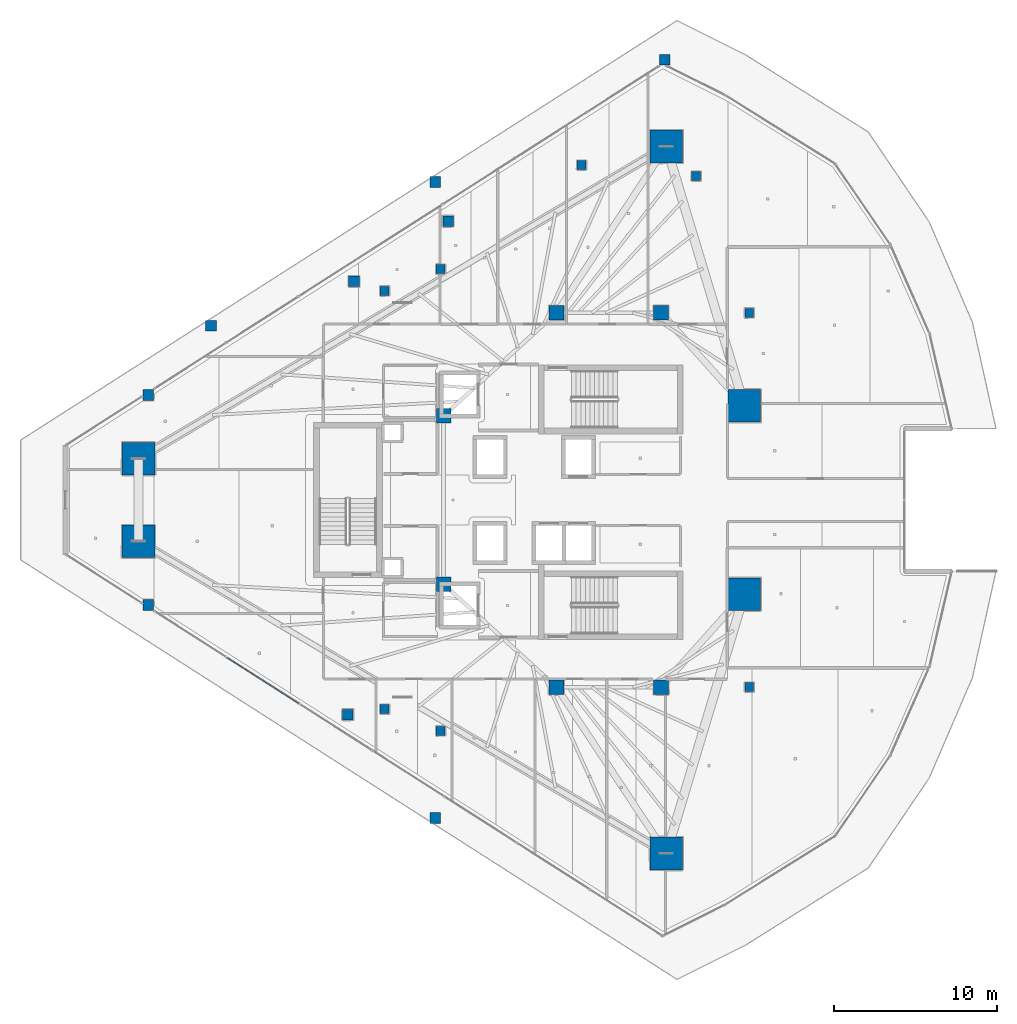
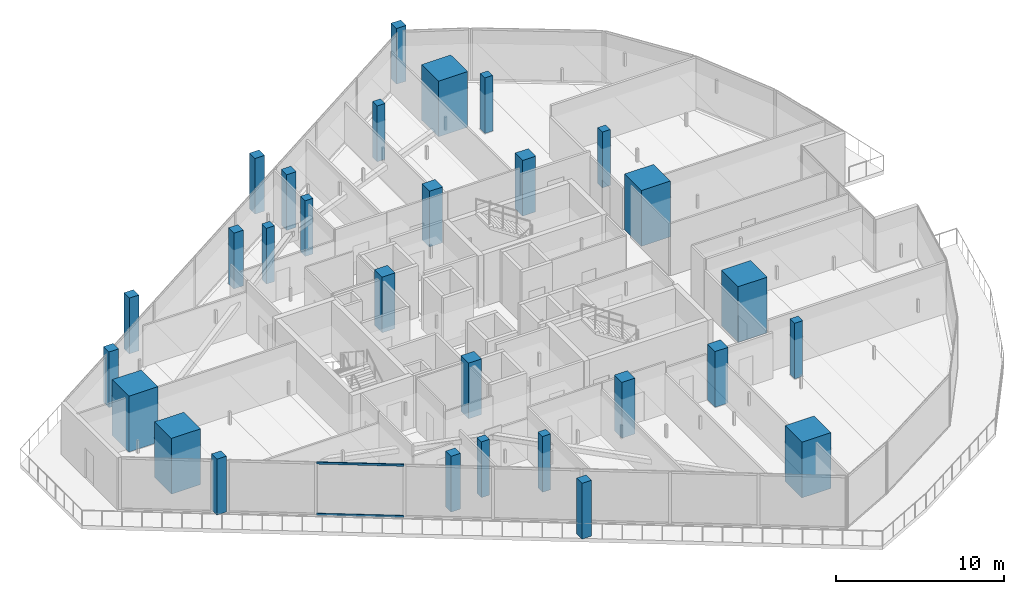
# One storey, part 1 of 43: 29 columns, 2 members, 1 element without a shape of its own.
"""IFC4 building model written with IfcOpenShell, lengths in metres."""

from ifc_helpers import new_model, si_unit, direction, frame, origin, origin_2d, place, context, subcontext, project, spatial, rectangle, hollow_rectangle, extrude, material, layer, layer_set, material_profile, profile_set, type_object, element, aggregate, save


model = new_model("IFC4")

# Units and contexts
model_context = context("Model", 3, precision=1e-05, world=origin(), true_north=direction((0.0, 1.0)))
body_context = subcontext(model_context, "Body", "Model", "MODEL_VIEW")
ifc_project = project(units=[si_unit("LENGTHUNIT", "METRE"), si_unit("AREAUNIT", "SQUARE_METRE"), si_unit("VOLUMEUNIT", "CUBIC_METRE"), si_unit("PLANEANGLEUNIT", "RADIAN"), si_unit("MASSUNIT", "GRAM", prefix="KILO")], contexts=[model_context])

# Site, building, storey
site_placement = place(None, origin())
site = spatial("IfcSite", under=ifc_project, at=site_placement, CompositionType="ELEMENT")
building_placement = place(site_placement, origin())
building = spatial("IfcBuilding", under=site, at=building_placement, Name="Qorvath Tower", CompositionType="ELEMENT")
storey_placement = place(building_placement, frame((0.0, 0.0, 213.14990234375)))
storey = spatial("IfcBuildingStorey", under=building, at=storey_placement, Name="L49", CompositionType="ELEMENT", Elevation=213.14990234375)

# Columns
ifc_material_1 = material(Name="Concrete C60/75", Category="concrete")
ifc_material_profile_1 = material_profile(ifc_material_1, rectangle(XDim=2.0, YDim=2.0, at=origin_2d()), Name="MC 2000x2000")
ifc_profile_set_1 = profile_set([ifc_material_profile_1], Name="Concrete C60/75")
column_type_1 = type_object("IfcColumnType", Name="COL-MC3", PredefinedType="COLUMN", material=ifc_profile_set_1)
for number, where, z_axis, x_axis, name in (
    (1, (-49.171875, 2.52783203125, 0.0), (0.0, 0.0, 1.0), (1.0, 0.0, 0.0), "Composite Mega-Column MC1 L49"),
    (2, (-49.171875, -2.52783203125, 0.0), (0.0, 0.0, 1.0), (1.0, 0.0, 0.0), "Composite Mega-Column MC2 L49"),
    (3, (-16.87158203125, -21.627197265625, 0.0), (0.0, 0.0, 1.0), (1.0, 0.0, 0.0), "Composite Mega-Column MC3 L49"),
    (4, (-12.0966796875, -5.7578125, 0.0), (0.0, 0.0, 1.0), (1.0, 0.0, 0.0), "Composite Mega-Column MC4 L49"),
    (5, (-12.0966796875, 5.7578125, 0.0), (0.0, 0.0, 1.0), (1.0, 0.0, 0.0), "Composite Mega-Column MC5 L49"),
    (6, (-16.87158203125, 21.627197265625, 0.0), (0.0, 0.0, 1.0), (1.0, 0.0, 0.0), "Composite Mega-Column MC6 L49"),
):
    element("IfcColumn", number, at=place(storey_placement, frame(where, z_axis=z_axis, x_axis=x_axis)), inside=storey, type_object=column_type_1, Name=name, PredefinedType="COLUMN", context=body_context, shape_type="SweptSolid", body=[
        extrude(rectangle(XDim=2.0, YDim=2.0, at=origin_2d()), origin(), (0.0, 0.0, 1.0), 4.050048828125),
    ])
ifc_material_2 = material(Name="Concrete C50/60", Category="concrete")
ifc_material_profile_2 = material_profile(ifc_material_2, rectangle(XDim=0.89990234375, YDim=0.89990234375, at=origin_2d()), Name="RC 900x900")
ifc_profile_set_2 = profile_set([ifc_material_profile_2], Name="Concrete C50/60")
column_type_2 = type_object("IfcColumnType", Name="COL-RC3", PredefinedType="COLUMN", material=ifc_profile_set_2)
for number, where, z_axis, x_axis, name in (
    (7, (-23.60009765625, 11.449951171875, 0.0), (0.0, 0.0, 1.0), (1.0, 0.0, 0.0), "Core Spine Column CC1 L49"),
    (8, (-17.199951171875, 11.449951171875, 0.0), (0.0, 0.0, 1.0), (1.0, 0.0, 0.0), "Core Spine Column CC2 L49"),
    (9, (-17.199951171875, -11.449951171875, 0.0), (0.0, 0.0, 1.0), (1.0, 0.0, 0.0), "Core Spine Column CC3 L49"),
    (10, (-23.60009765625, -11.449951171875, 0.0), (0.0, 0.0, 1.0), (1.0, 0.0, 0.0), "Core Spine Column CC4 L49"),
    (11, (-30.5, 5.14990234375, 0.0), (0.0, 0.0, 1.0), (1.0, 0.0, 0.0), "Core Spine Column CC5 L49"),
    (12, (-30.5, -5.14990234375, 0.0), (0.0, 0.0, 1.0), (1.0, 0.0, 0.0), "Core Spine Column CC6 L49"),
):
    element("IfcColumn", number, at=place(storey_placement, frame(where, z_axis=z_axis, x_axis=x_axis)), inside=storey, type_object=column_type_2, Name=name, PredefinedType="COLUMN", context=body_context, shape_type="SweptSolid", body=[
        extrude(rectangle(XDim=0.89990234375, YDim=0.89990234375, at=origin_2d()), origin(), (0.0, 0.0, 1.0), 4.050048828125),
    ])
ifc_material_3 = material(Name="Concrete C45/55", Category="concrete")
ifc_material_profile_3 = material_profile(ifc_material_3, rectangle(XDim=0.64990234375, YDim=0.64990234375, at=origin_2d()), Name="RC 650x650")
ifc_profile_set_3 = profile_set([ifc_material_profile_3], Name="Concrete C45/55")
column_type_3 = type_object("IfcColumnType", Name="COL-RC6", PredefinedType="COLUMN", material=ifc_profile_set_3)
for number, where, z_axis, x_axis, name in (
    (13, (-31.01611328125, 19.46044921875, 0.0), (0.0, 0.0, 1.0), (1.0, 0.0, 0.0), "Loggia Frame Pier Column LGD1 L49"),
    (14, (-31.01611328125, -19.46044921875, 0.0), (0.0, 0.0, 1.0), (1.0, 0.0, 0.0), "Loggia Frame Pier Column LGD2 L49"),
    (15, (-44.736328125, 10.65234375, 0.0), (0.0, 0.0, 1.0), (1.0, 0.0, 0.0), "Loggia Frame Pier Column LGD3 L49"),
    (16, (-48.578369140625, 6.424560546875, 0.0), (0.0, 0.0, 1.0), (1.0, 0.0, 0.0), "Loggia Frame Pier Column LGE1 L49"),
    (17, (-48.578369140625, -6.424560546875, 0.0), (0.0, 0.0, 1.0), (1.0, 0.0, 0.0), "Loggia Frame Pier Column LGE2 L49"),
    (18, (-16.981201171875, 26.92919921875, 0.0), (0.0, 0.0, 1.0), (1.0, 0.0, 0.0), "Loggia Frame Pier Column LGE3 L49"),
    (19, (-35.980712890625, 13.380859375, 0.0), (0.0, 0.0, 1.0), (1.0, 0.0, 0.0), "Loggia Frame Pier Column LGF1 L49"),
    (20, (-36.36474609375, -13.135498046875, 0.0), (0.0, 0.0, 1.0), (1.0, 0.0, 0.0), "Loggia Frame Pier Column LGF2 L49"),
    (21, (-30.224853515625, 17.0595703125, 0.0), (0.0, 0.0, 1.0), (1.0, 0.0, 0.0), "Loggia Frame Pier Column LGF3 L49"),
):
    element("IfcColumn", number, at=place(storey_placement, frame(where, z_axis=z_axis, x_axis=x_axis)), inside=storey, type_object=column_type_3, Name=name, PredefinedType="COLUMN", context=body_context, shape_type="SweptSolid", body=[
        extrude(rectangle(XDim=0.64990234375, YDim=0.64990234375, at=origin_2d()), origin(), (0.0, 0.0, 1.0), 4.050048828125),
    ])
ifc_material_4 = material(Name="Concrete C45/55", Category="concrete")
ifc_material_profile_4 = material_profile(ifc_material_4, rectangle(XDim=0.550048828125, YDim=0.550048828125, at=origin_2d()), Name="RC 550x550")
ifc_profile_set_4 = profile_set([ifc_material_profile_4], Name="Concrete C45/55")
column_type_4 = type_object("IfcColumnType", Name="COL-RC7", PredefinedType="COLUMN", material=ifc_profile_set_4)
for number, where, z_axis, x_axis, name in (
    (22, (-34.104248046875, 12.79248046875, 0.0), (0.0, 0.0, 1.0), (1.0, 0.0, 0.0), "Loggia Frame Pier Column LGG1 L49"),
    (23, (-34.104248046875, -12.79248046875, 0.0), (0.0, 0.0, 1.0), (1.0, 0.0, 0.0), "Loggia Frame Pier Column LGG2 L49"),
    (24, (-22.05322265625, 20.494873046875, 0.0), (0.0, 0.0, 1.0), (1.0, 0.0, 0.0), "Loggia Frame Pier Column LGG3 L49"),
    (25, (-30.67724609375, 14.124267578125, 0.0), (0.0, 0.0, 1.0), (1.0, 0.0, 0.0), "Loggia Frame Pier Column LGH1 L49"),
    (26, (-30.67724609375, -14.124267578125, 0.0), (0.0, 0.0, 1.0), (1.0, 0.0, 0.0), "Loggia Frame Pier Column LGH2 L49"),
    (27, (-15.046142578125, 19.818115234375, 0.0), (0.0, 0.0, 1.0), (1.0, 0.0, 0.0), "Loggia Frame Pier Column LGH3 L49"),
    (28, (-11.800048828125, -11.449951171875, 0.0), (0.0, 0.0, 1.0), (1.0, 0.0, 0.0), "Central Slot Jamb Column SC1 L49"),
    (29, (-11.800048828125, 11.449951171875, 0.0), (0.0, 0.0, 1.0), (1.0, 0.0, 0.0), "Central Slot Jamb Column SC2 L49"),
):
    element("IfcColumn", number, at=place(storey_placement, frame(where, z_axis=z_axis, x_axis=x_axis)), inside=storey, type_object=column_type_4, Name=name, PredefinedType="COLUMN", context=body_context, shape_type="SweptSolid", body=[
        extrude(rectangle(XDim=0.550048828125, YDim=0.550048828125, at=origin_2d()), origin(), (0.0, 0.0, 1.0), 4.050048828125),
    ])

# Curtain wall, members
ifc_material_5 = material(Name="Anodised aluminium and triple low-E glass", Category="aluminium")
ifc_layer = layer(ifc_material_5, 0.179931640625)
ifc_layer_set = layer_set([ifc_layer], Name="CW-SYS-3")
curtain_wall_type = type_object("IfcCurtainWallType", Name="CW-SYS-3", PredefinedType="NOTDEFINED", material=ifc_layer_set)
curtain_wall_placement = place(storey_placement, origin())
curtain_wall = element("IfcCurtainWall", 30, at=curtain_wall_placement, inside=storey, type_object=curtain_wall_type, Name="Curtain Wall CW-3 CW-T-L49-2.2", PredefinedType="NOTDEFINED")
ifc_material_6 = material(Name="Anodised aluminium 6063-T6", Category="aluminium")
ifc_material_profile_5 = material_profile(ifc_material_6, hollow_rectangle(XDim=0.06494140625, YDim=0.159912109375, WallThickness=0.00341796875, InnerFilletRadius=0.00341796875, OuterFilletRadius=0.007080078125, at=origin_2d()), Name="CWT 160x65")
ifc_profile_set_5 = profile_set([ifc_material_profile_5], Name="Anodised aluminium 6063-T6")
member_type = type_object("IfcMemberType", Name="CWT-160", PredefinedType="USERDEFINED", material=ifc_profile_set_5)
member_1_placement = place(storey_placement, frame((-43.74755859375, -9.65283203125, 0.032470703125), z_axis=(0.842586988397, -0.538560272379, 0.0), x_axis=(0.538560272379, 0.842586988397, 0.0)))
member_1 = element("IfcMember", 31, at=member_1_placement, type_object=member_type, Name="CW-3 transom 2.1", ObjectType="TRANSOM", PredefinedType="USERDEFINED", context=body_context, shape_type="SweptSolid", body=[
    extrude(hollow_rectangle(XDim=0.06494140625, YDim=0.159912109375, WallThickness=0.00341796875, InnerFilletRadius=0.00341796875, OuterFilletRadius=0.007080078125, at=origin_2d()), origin(), (0.0, 0.0, 1.0), 5.2099609375),
])
member_2_placement = place(storey_placement, frame((-43.74755859375, -9.65283203125, 3.74755859375), z_axis=(0.842586988397, -0.538560272379, 0.0), x_axis=(0.538560272379, 0.842586988397, 0.0)))
member_2 = element("IfcMember", 32, at=member_2_placement, type_object=member_type, Name="CW-3 transom 2.2", ObjectType="TRANSOM", PredefinedType="USERDEFINED", context=body_context, shape_type="SweptSolid", body=[
    extrude(hollow_rectangle(XDim=0.06494140625, YDim=0.159912109375, WallThickness=0.00341796875, InnerFilletRadius=0.00341796875, OuterFilletRadius=0.007080078125, at=origin_2d()), origin(), (0.0, 0.0, 1.0), 5.2099609375),
])
aggregate(curtain_wall, [member_1, member_2])

save(model, "model.ifc")
